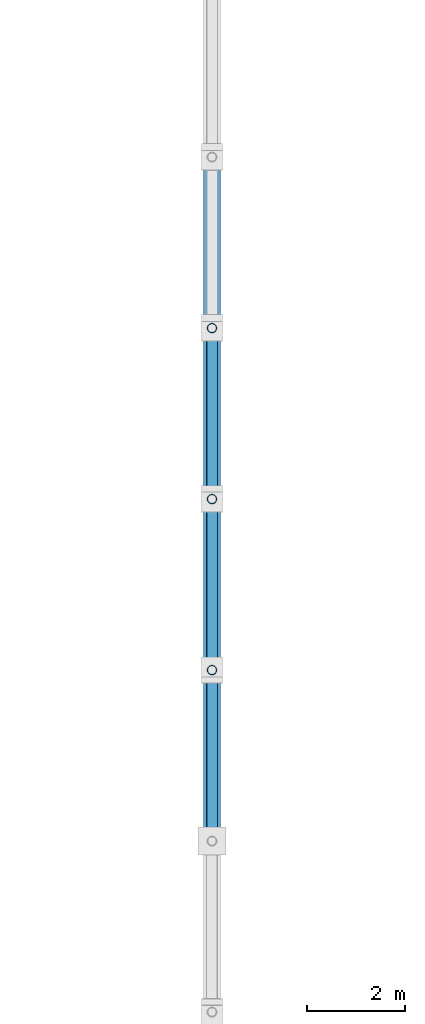
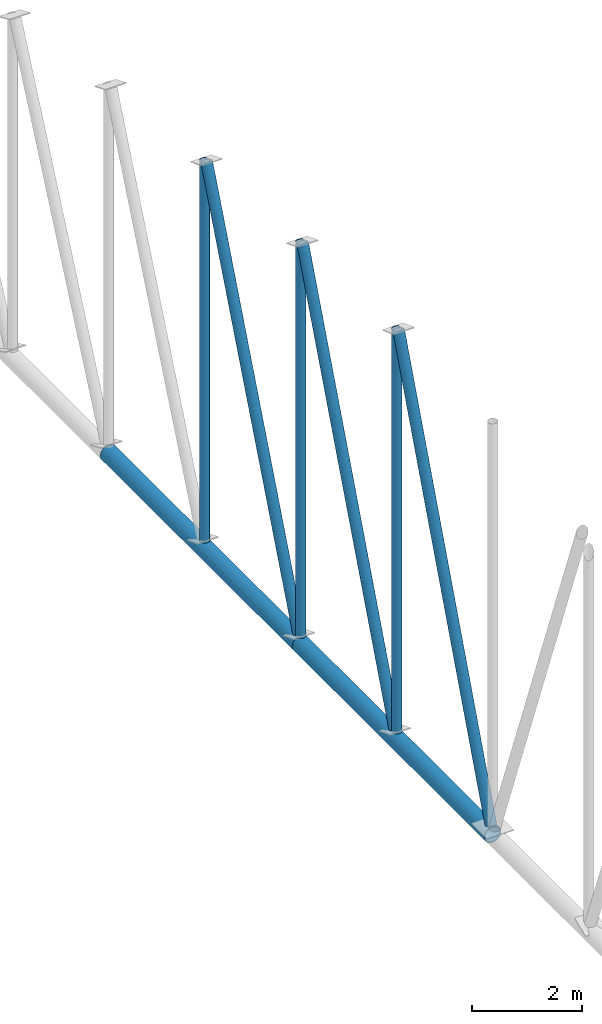
# One storey, part 74 of 196: 8 members.
"""IFC4 building model written with IfcOpenShell, lengths in metres."""

from ifc_helpers import new_model, si_unit, direction, frame, origin, origin_2d, place, context, subcontext, project, spatial, hollow_circle, extrude, material, material_profile, profile_set, type_object, element, save


model = new_model("IFC4")

# Units and contexts
model_context = context("Model", 3, precision=1e-05, world=origin(), true_north=direction((0.0, 1.0)))
body_context = subcontext(model_context, "Body", "Model", "MODEL_VIEW")
ifc_project = project(units=[si_unit("LENGTHUNIT", "METRE"), si_unit("AREAUNIT", "SQUARE_METRE"), si_unit("VOLUMEUNIT", "CUBIC_METRE"), si_unit("PLANEANGLEUNIT", "RADIAN"), si_unit("MASSUNIT", "GRAM", prefix="KILO")], contexts=[model_context])

# Site, building, storey
site_placement = place(None, origin())
site = spatial("IfcSite", under=ifc_project, at=site_placement, CompositionType="ELEMENT")
building_placement = place(site_placement, origin())
building = spatial("IfcBuilding", under=site, at=building_placement, Name="Okhra Congress Centre", CompositionType="ELEMENT")
storey_placement = place(building_placement, frame((0.0, 0.0, 12.0)))
storey = spatial("IfcBuildingStorey", under=building, at=storey_placement, Name="L02", CompositionType="ELEMENT", Elevation=12.0)

# Members
ifc_material = material(Name="Steel S355J2H", Category="steel")
ifc_material_profile_1 = material_profile(ifc_material, hollow_circle(Radius=0.096923828125, WallThickness=0.008056640625, at=origin_2d()), Name="CHS 193.7x8.0")
ifc_profile_set_1 = profile_set([ifc_material_profile_1], Name="Steel S355J2H")
member_type_1 = type_object("IfcMemberType", Name="CHS 193.7x8.0", PredefinedType="POST", material=ifc_profile_set_1)
member_1_placement = place(storey_placement, frame((118.0, 177.5, 1.577880859375), z_axis=(0.0, 0.0, 1.0), x_axis=(1.0, 0.0, 0.0)))
element("IfcMember", 1, at=member_1_placement, inside=storey, type_object=member_type_1, Name="EH.MEM.L02.T6-VER-13", PredefinedType="POST", context=body_context, shape_type="SweptSolid", body=[
    extrude(hollow_circle(Radius=0.096923828125, WallThickness=0.008056640625, at=origin_2d()), origin(), (0.0, 0.0, 1.0), 8.95654296875),
])
member_2_placement = place(storey_placement, frame((118.0, 181.0, 1.577880859375), z_axis=(0.0, 0.0, 1.0), x_axis=(1.0, 0.0, 0.0)))
element("IfcMember", 2, at=member_2_placement, inside=storey, type_object=member_type_1, Name="EH.MEM.L02.T6-VER-14", PredefinedType="POST", context=body_context, shape_type="SweptSolid", body=[
    extrude(hollow_circle(Radius=0.096923828125, WallThickness=0.008056640625, at=origin_2d()), origin(), (0.0, 0.0, 1.0), 8.76953125),
])
member_3_placement = place(storey_placement, frame((118.0, 184.5, 1.577880859375), z_axis=(0.0, 0.0, 1.0), x_axis=(1.0, 0.0, 0.0)))
element("IfcMember", 3, at=member_3_placement, inside=storey, type_object=member_type_1, Name="EH.MEM.L02.T6-VER-15", PredefinedType="POST", context=body_context, shape_type="SweptSolid", body=[
    extrude(hollow_circle(Radius=0.096923828125, WallThickness=0.008056640625, at=origin_2d()), origin(), (0.0, 0.0, 1.0), 8.456787109375),
])
ifc_material_profile_2 = material_profile(ifc_material, hollow_circle(Radius=0.109619140625, WallThickness=0.010009765625, at=origin_2d()), Name="CHS 219.1x10.0")
ifc_profile_set_2 = profile_set([ifc_material_profile_2], Name="Steel S355J2H")
member_type_2 = type_object("IfcMemberType", Name="CHS 219.1x10.0", PredefinedType="BRACE", material=ifc_profile_set_2)
member_4_placement = place(storey_placement, frame((118.0, 177.431640625, 10.55517578125), z_axis=(0.0, -0.35098669327, -0.936380446799), x_axis=(1.0, 0.0, 0.0)))
element("IfcMember", 4, at=member_4_placement, inside=storey, type_object=member_type_2, Name="EH.MEM.L02.T6-DIA-12", PredefinedType="BRACE", context=body_context, shape_type="SweptSolid", body=[
    extrude(hollow_circle(Radius=0.109619140625, WallThickness=0.010009765625, at=origin_2d()), origin(), (0.0, 0.0, 1.0), 9.587158203125),
])
member_5_placement = place(storey_placement, frame((118.0, 180.930908203125, 10.37060546875), z_axis=(0.0, -0.357217988255, -0.934021043054), x_axis=(1.0, 0.0, 0.0)))
element("IfcMember", 5, at=member_5_placement, inside=storey, type_object=member_type_2, Name="EH.MEM.L02.T6-DIA-13", PredefinedType="BRACE", context=body_context, shape_type="SweptSolid", body=[
    extrude(hollow_circle(Radius=0.109619140625, WallThickness=0.010009765625, at=origin_2d()), origin(), (0.0, 0.0, 1.0), 9.413818359375),
])
member_6_placement = place(storey_placement, frame((118.0, 184.429443359375, 10.060546875), z_axis=(0.0, -0.368181952794, -0.929753757528), x_axis=(1.0, 0.0, 0.0)))
element("IfcMember", 6, at=member_6_placement, inside=storey, type_object=member_type_2, Name="EH.MEM.L02.T6-DIA-14", PredefinedType="BRACE", context=body_context, shape_type="SweptSolid", body=[
    extrude(hollow_circle(Radius=0.109619140625, WallThickness=0.010009765625, at=origin_2d()), origin(), (0.0, 0.0, 1.0), 9.12353515625),
])
ifc_material_profile_3 = material_profile(ifc_material, hollow_circle(Radius=0.177734375, WallThickness=0.02001953125, at=origin_2d()), Name="CHS 355.6x20.0")
ifc_profile_set_3 = profile_set([ifc_material_profile_3], Name="Steel S355J2H")
member_type_3 = type_object("IfcMemberType", Name="CHS 355.6x20.0", PredefinedType="CHORD", material=ifc_profile_set_3)
for number, where, z_axis, x_axis, name in (
    (7, (118.0, 174.0, 1.39990234375), (0.0, 1.0, 0.0), (-1.0, 0.0, 0.0), "EH.MEM.L02.T6-BOT-07"),
    (8, (118.0, 181.0, 1.39990234375), (0.0, 1.0, 0.0), (-1.0, 0.0, 0.0), "EH.MEM.L02.T6-BOT-08"),
):
    element("IfcMember", number, at=place(storey_placement, frame(where, z_axis=z_axis, x_axis=x_axis)), inside=storey, type_object=member_type_3, Name=name, PredefinedType="CHORD", context=body_context, shape_type="SweptSolid", body=[
        extrude(hollow_circle(Radius=0.177734375, WallThickness=0.02001953125, at=origin_2d()), origin(), (0.0, 0.0, 1.0), 7.0),
    ])

save(model, "model.ifc")
